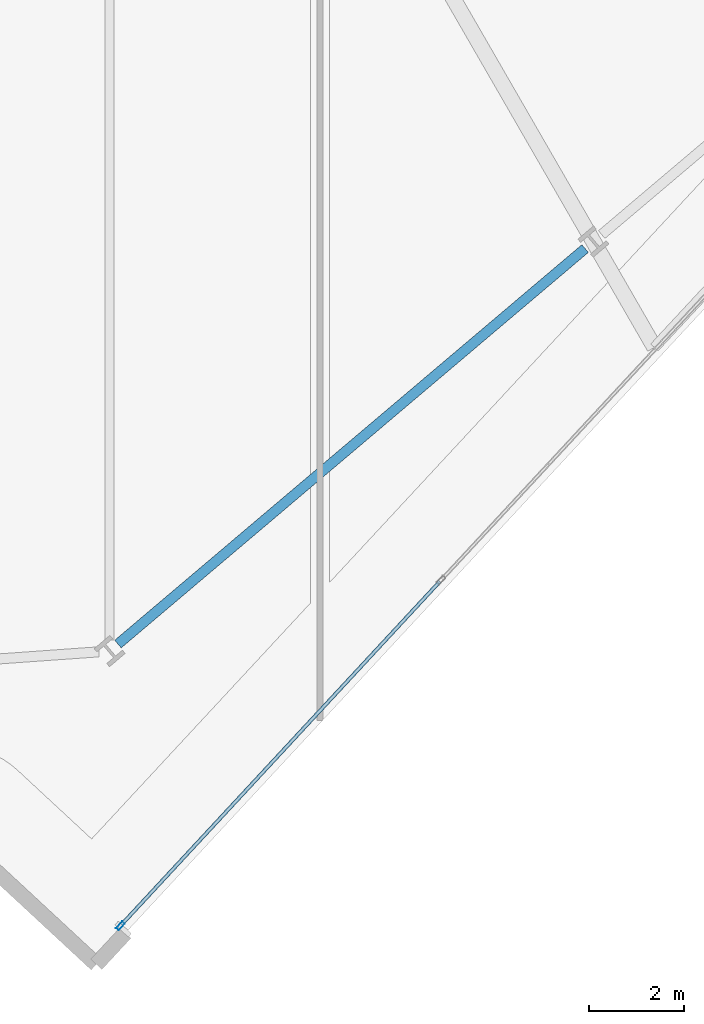
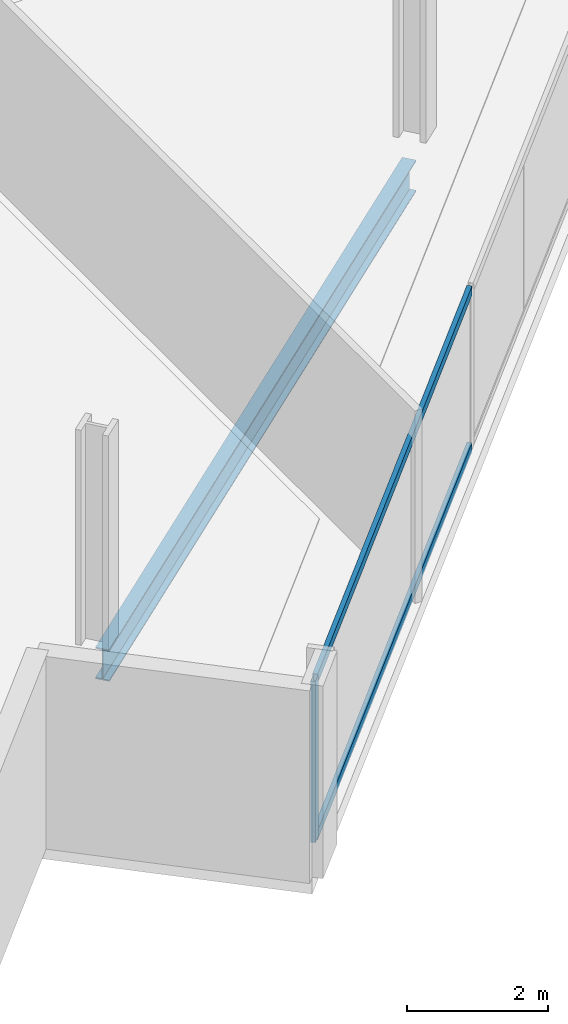
# One storey, part 6 of 32: 3 members, 1 beam, 1 element without a shape of its own.
"""IFC4 building model written with IfcOpenShell, lengths in metres."""

from ifc_helpers import new_model, si_unit, direction, frame, origin, origin_2d, place, context, subcontext, project, spatial, hollow_rectangle, i_section, extrude, material, material_profile, profile_set, type_object, element, aggregate, save


model = new_model("IFC4")

# Units and contexts
model_context = context("Model", 3, precision=1e-05, world=origin(), true_north=direction((0.0, 1.0)))
body_context = subcontext(model_context, "Body", "Model", "MODEL_VIEW")
ifc_project = project(units=[si_unit("LENGTHUNIT", "METRE"), si_unit("AREAUNIT", "SQUARE_METRE"), si_unit("VOLUMEUNIT", "CUBIC_METRE"), si_unit("PLANEANGLEUNIT", "RADIAN"), si_unit("MASSUNIT", "GRAM", prefix="KILO")], contexts=[model_context])

# Site, building, storey
site_placement = place(None, origin())
site = spatial("IfcSite", under=ifc_project, at=site_placement, CompositionType="ELEMENT")
building_placement = place(site_placement, origin())
building = spatial("IfcBuilding", under=site, at=building_placement, Name="Haldenkirk Collegiate Tower", CompositionType="ELEMENT")
storey_placement = place(building_placement, frame((0.0, 0.0, 185.699951171875)))
storey = spatial("IfcBuildingStorey", under=building, at=storey_placement, Name="L46", CompositionType="ELEMENT", Elevation=185.699951171875)

# Beam
ifc_material_1 = material(Name="Steel ASTM A992 Grade 50", Category="steel")
ifc_material_profile_1 = material_profile(ifc_material_1, i_section(OverallWidth=0.2119140625, OverallDepth=0.5439453125, WebThickness=0.01318359375, FlangeThickness=0.021240234375, at=origin_2d()), Name="W21X83")
ifc_profile_set_1 = profile_set([ifc_material_profile_1], Name="Steel ASTM A992 Grade 50")
beam_type = type_object("IfcBeamType", Name="BM-SPANDREL-W21X83", PredefinedType="SPANDREL", material=ifc_profile_set_1)
beam_placement = place(storey_placement, frame((39.743408203125, 1.261474609375, -0.56201171875), z_axis=(0.763233335078, 0.646122957514, 0.0), x_axis=(-0.646122957514, 0.763233335078, 0.0)))
element("IfcBeam", 1, at=beam_placement, inside=storey, type_object=beam_type, Name="L46 perimeter spandrel beam 02", PredefinedType="SPANDREL", context=body_context, shape_type="SweptSolid", body=[
    extrude(i_section(OverallWidth=0.2119140625, OverallDepth=0.5439453125, WebThickness=0.01318359375, FlangeThickness=0.021240234375, at=origin_2d()), origin(), (0.0, 0.0, 1.0), 12.898193359375),
])

# Curtain wall, members
ifc_material_2 = material(Name="Anodised architectural bronze aluminium", Category="aluminium")
curtain_wall_type = type_object("IfcCurtainWallType", Name="CW-SYS2-CONCAVE", PredefinedType="USERDEFINED", material=ifc_material_2)
curtain_wall_placement = place(storey_placement, origin())
curtain_wall = element("IfcCurtainWall", 2, at=curtain_wall_placement, inside=storey, type_object=curtain_wall_type, Name="L46 South concave recessed bronze-anodised curtain wall", ObjectType="UNITISED CURTAIN WALL", PredefinedType="USERDEFINED")
ifc_material_profile_2 = material_profile(ifc_material_2, hollow_rectangle(XDim=0.074951171875, YDim=0.18994140625, WallThickness=0.0048828125, at=origin_2d()), Name="CW-MUL-02")
ifc_profile_set_2 = profile_set([ifc_material_profile_2], Name="Anodised architectural bronze aluminium")
member_type_1 = type_object("IfcMemberType", Name="CW-MUL-02", PredefinedType="MULLION", material=ifc_profile_set_2)
member_1_placement = place(storey_placement, frame((39.79296875, -4.67919921875, 0.0), z_axis=(0.0, 0.0, 1.0), x_axis=(0.733137779244, -0.680080139869, 0.0)))
member_1 = element("IfcMember", 3, at=member_1_placement, type_object=member_type_1, Name="CW-02 mullion 5", PredefinedType="MULLION", context=body_context, shape_type="SweptSolid", body=[
    extrude(hollow_rectangle(XDim=0.074951171875, YDim=0.18994140625, WallThickness=0.0048828125, at=origin_2d()), origin(), (0.0, 0.0, 1.0), 2.791015625),
])
ifc_material_profile_3 = material_profile(ifc_material_2, hollow_rectangle(XDim=0.074951171875, YDim=0.159912109375, WallThickness=0.0048828125, at=origin_2d()), Name="CW-TRN-02")
ifc_profile_set_3 = profile_set([ifc_material_profile_3], Name="Anodised architectural bronze aluminium")
member_type_2 = type_object("IfcMemberType", Name="CW-TRN-02", PredefinedType="USERDEFINED", material=ifc_profile_set_3)
member_2_placement = place(storey_placement, frame((46.525634765625, 2.578857421875, 0.03759765625), z_axis=(-0.680084509793, -0.73313372555, 0.0), x_axis=(0.73313372555, -0.680084509793, 0.0)))
member_2 = element("IfcMember", 4, at=member_2_placement, type_object=member_type_2, Name="CW-02 transom 4.1", ObjectType="TRANSOM", PredefinedType="USERDEFINED", context=body_context, shape_type="SweptSolid", body=[
    extrude(hollow_rectangle(XDim=0.074951171875, YDim=0.159912109375, WallThickness=0.0048828125, at=origin_2d()), origin(), (0.0, 0.0, 1.0), 9.8623046875),
])
member_3_placement = place(storey_placement, frame((46.525634765625, 2.578857421875, 2.753662109375), z_axis=(-0.680084509793, -0.73313372555, 0.0), x_axis=(0.73313372555, -0.680084509793, 0.0)))
member_3 = element("IfcMember", 5, at=member_3_placement, type_object=member_type_2, Name="CW-02 transom 4.2", ObjectType="TRANSOM", PredefinedType="USERDEFINED", context=body_context, shape_type="SweptSolid", body=[
    extrude(hollow_rectangle(XDim=0.074951171875, YDim=0.159912109375, WallThickness=0.0048828125, at=origin_2d()), origin(), (0.0, 0.0, 1.0), 9.8623046875),
])
aggregate(curtain_wall, [member_1, member_2, member_3])

save(model, "model.ifc")
